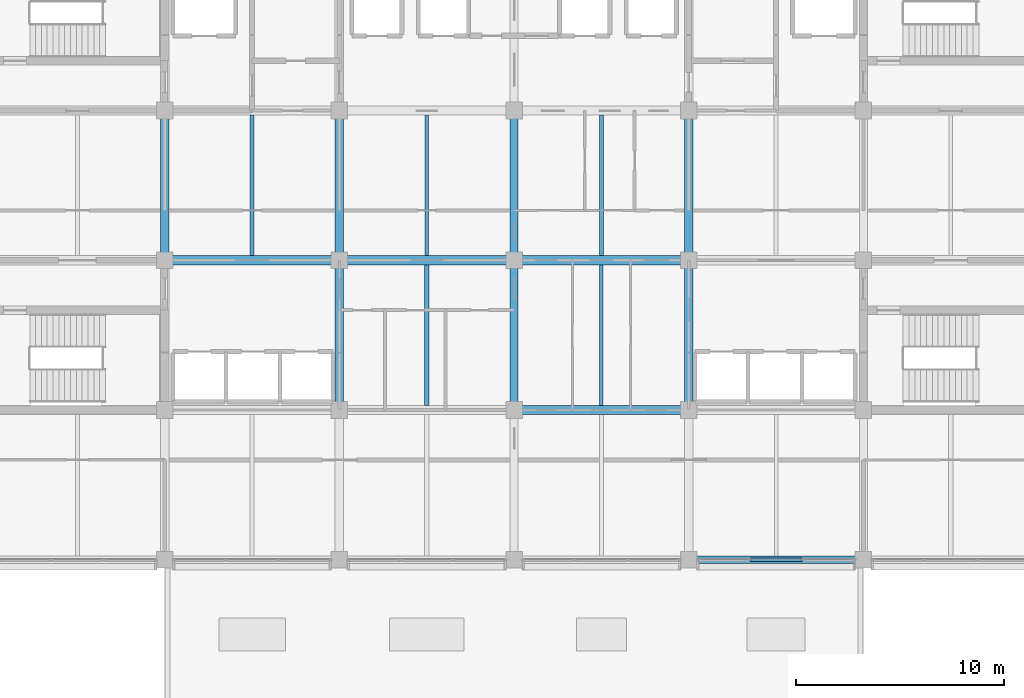
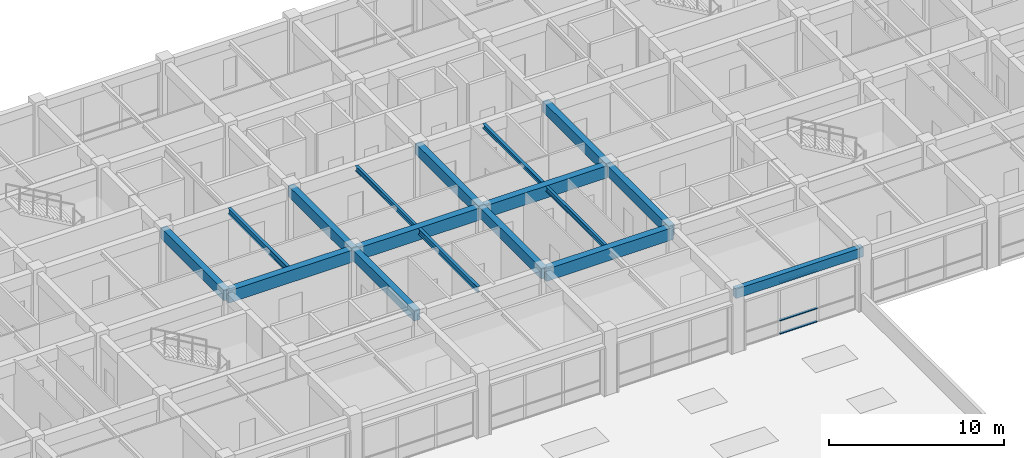
# One storey, part 6 of 40: 17 beams, 3 members, 1 element without a shape of its own.
"""IFC4 building model written with IfcOpenShell, lengths in metres."""

from ifc_helpers import new_model, si_unit, direction, frame, origin, origin_2d, place, context, subcontext, project, spatial, rectangle, i_section, extrude, material, layer, layer_set, material_profile, profile_set, type_object, element, aggregate, save


model = new_model("IFC4")

# Units and contexts
model_context = context("Model", 3, precision=1e-05, world=origin(), true_north=direction((0.0, 1.0)))
body_context = subcontext(model_context, "Body", "Model", "MODEL_VIEW")
ifc_project = project(units=[si_unit("LENGTHUNIT", "METRE"), si_unit("AREAUNIT", "SQUARE_METRE"), si_unit("VOLUMEUNIT", "CUBIC_METRE"), si_unit("PLANEANGLEUNIT", "RADIAN"), si_unit("MASSUNIT", "GRAM", prefix="KILO")], contexts=[model_context])

# Site, building, storey
site_placement = place(None, origin())
site = spatial("IfcSite", under=ifc_project, at=site_placement, CompositionType="ELEMENT")
building_placement = place(site_placement, origin())
building = spatial("IfcBuilding", under=site, at=building_placement, Name="Chengyuan Square Courthouse", CompositionType="ELEMENT")
storey_placement = place(building_placement, frame((0.0, 0.0, 21.60009765625)))
storey = spatial("IfcBuildingStorey", under=building, at=storey_placement, Name="L05", CompositionType="ELEMENT", Elevation=21.60009765625)

# Beams
ifc_material_1 = material(Name="Concrete C40", Category="concrete")
ifc_material_profile_1 = material_profile(ifc_material_1, rectangle(XDim=0.449951171875, YDim=0.85009765625, at=origin_2d()), Name="RC-BM-450x850")
ifc_profile_set_1 = profile_set([ifc_material_profile_1], Name="Concrete C40")
beam_type_1 = type_object("IfcBeamType", Name="BM-01", PredefinedType="USERDEFINED", material=ifc_profile_set_1)
beam_1_placement = place(storey_placement, frame((84.0, 86.39990234375, 3.81494140625), z_axis=(1.0, 0.0, 0.0), x_axis=(0.0, 1.0, 0.0)))
element("IfcBeam", 1, at=beam_1_placement, inside=storey, type_object=beam_type_1, Name="Girder BM-L05-3215", ObjectType="GIRDER", PredefinedType="USERDEFINED", context=body_context, shape_type="SweptSolid", body=[
    extrude(rectangle(XDim=0.449951171875, YDim=0.85009765625, at=origin_2d()), origin(), (0.0, 0.0, 1.0), 8.39990234375),
])
beam_2_placement = place(storey_placement, frame((67.199951171875, 93.60009765625, 3.81494140625), z_axis=(1.0, 0.0, 0.0), x_axis=(0.0, 1.0, 0.0)))
element("IfcBeam", 2, at=beam_2_placement, inside=storey, type_object=beam_type_1, Name="Girder BM-L05-3225", ObjectType="GIRDER", PredefinedType="USERDEFINED", context=body_context, shape_type="SweptSolid", body=[
    extrude(rectangle(XDim=0.449951171875, YDim=0.85009765625, at=origin_2d()), origin(), (0.0, 0.0, 1.0), 8.400146484375),
])
for number, where, z_axis, x_axis, name in (
    (3, (75.60009765625, 93.60009765625, 3.81494140625), (1.0, 0.0, 0.0), (0.0, 1.0, 0.0), "Girder BM-L05-3226"),
    (4, (84.0, 93.60009765625, 3.81494140625), (1.0, 0.0, 0.0), (0.0, 1.0, 0.0), "Girder BM-L05-3227"),
):
    element("IfcBeam", number, at=place(storey_placement, frame(where, z_axis=z_axis, x_axis=x_axis)), inside=storey, type_object=beam_type_1, Name=name, ObjectType="GIRDER", PredefinedType="USERDEFINED", context=body_context, shape_type="SweptSolid", body=[
        extrude(rectangle(XDim=0.449951171875, YDim=0.85009765625, at=origin_2d()), origin(), (0.0, 0.0, 1.0), 8.39990234375),
    ])
ifc_material_profile_2 = material_profile(ifc_material_1, rectangle(XDim=0.39990234375, YDim=0.75, at=origin_2d()), Name="RC-BM-400x750")
ifc_profile_set_2 = profile_set([ifc_material_profile_2], Name="Concrete C40")
beam_type_2 = type_object("IfcBeamType", Name="BM-02", PredefinedType="USERDEFINED", material=ifc_profile_set_2)
beam_3_placement = place(storey_placement, frame((67.199951171875, 93.60009765625, 3.864990234375), z_axis=(0.0, 1.0, 0.0), x_axis=(-1.0, 0.0, 0.0)))
element("IfcBeam", 5, at=beam_3_placement, inside=storey, type_object=beam_type_2, Name="Girder BM-L05-3290", ObjectType="GIRDER", PredefinedType="USERDEFINED", context=body_context, shape_type="SweptSolid", body=[
    extrude(rectangle(XDim=0.39990234375, YDim=0.75, at=origin_2d()), origin(), (0.0, 0.0, 1.0), 7.199951171875),
])
beam_4_placement = place(storey_placement, frame((75.60009765625, 86.39990234375, 3.864990234375), z_axis=(0.0, 1.0, 0.0), x_axis=(-1.0, 0.0, 0.0)))
element("IfcBeam", 6, at=beam_4_placement, inside=storey, type_object=beam_type_2, Name="Girder BM-L05-3294", ObjectType="GIRDER", PredefinedType="USERDEFINED", context=body_context, shape_type="SweptSolid", body=[
    extrude(rectangle(XDim=0.39990234375, YDim=0.75, at=origin_2d()), origin(), (0.0, 0.0, 1.0), 7.2001953125),
])
beam_5_placement = place(storey_placement, frame((75.60009765625, 93.60009765625, 3.864990234375), z_axis=(0.0, 1.0, 0.0), x_axis=(-1.0, 0.0, 0.0)))
element("IfcBeam", 7, at=beam_5_placement, inside=storey, type_object=beam_type_2, Name="Girder BM-L05-3295", ObjectType="GIRDER", PredefinedType="USERDEFINED", context=body_context, shape_type="SweptSolid", body=[
    extrude(rectangle(XDim=0.39990234375, YDim=0.75, at=origin_2d()), origin(), (0.0, 0.0, 1.0), 7.199951171875),
])
beam_6_placement = place(storey_placement, frame((84.0, 86.39990234375, 3.864990234375), z_axis=(0.0, 1.0, 0.0), x_axis=(-1.0, 0.0, 0.0)))
element("IfcBeam", 8, at=beam_6_placement, inside=storey, type_object=beam_type_2, Name="Girder BM-L05-3299", ObjectType="GIRDER", PredefinedType="USERDEFINED", context=body_context, shape_type="SweptSolid", body=[
    extrude(rectangle(XDim=0.39990234375, YDim=0.75, at=origin_2d()), origin(), (0.0, 0.0, 1.0), 7.2001953125),
])
beam_7_placement = place(storey_placement, frame((84.0, 93.60009765625, 3.864990234375), z_axis=(0.0, 1.0, 0.0), x_axis=(-1.0, 0.0, 0.0)))
element("IfcBeam", 9, at=beam_7_placement, inside=storey, type_object=beam_type_2, Name="Girder BM-L05-3300", ObjectType="GIRDER", PredefinedType="USERDEFINED", context=body_context, shape_type="SweptSolid", body=[
    extrude(rectangle(XDim=0.39990234375, YDim=0.75, at=origin_2d()), origin(), (0.0, 0.0, 1.0), 7.199951171875),
])
beam_8_placement = place(storey_placement, frame((92.39990234375, 86.39990234375, 3.864990234375), z_axis=(0.0, 1.0, 0.0), x_axis=(-1.0, 0.0, 0.0)))
element("IfcBeam", 10, at=beam_8_placement, inside=storey, type_object=beam_type_2, Name="Girder BM-L05-3304", ObjectType="GIRDER", PredefinedType="USERDEFINED", context=body_context, shape_type="SweptSolid", body=[
    extrude(rectangle(XDim=0.39990234375, YDim=0.75, at=origin_2d()), origin(), (0.0, 0.0, 1.0), 7.2001953125),
])
beam_9_placement = place(storey_placement, frame((92.39990234375, 93.60009765625, 3.864990234375), z_axis=(0.0, 1.0, 0.0), x_axis=(-1.0, 0.0, 0.0)))
element("IfcBeam", 11, at=beam_9_placement, inside=storey, type_object=beam_type_2, Name="Girder BM-L05-3305", ObjectType="GIRDER", PredefinedType="USERDEFINED", context=body_context, shape_type="SweptSolid", body=[
    extrude(rectangle(XDim=0.39990234375, YDim=0.75, at=origin_2d()), origin(), (0.0, 0.0, 1.0), 7.199951171875),
])
ifc_material_profile_3 = material_profile(ifc_material_1, rectangle(XDim=0.35009765625, YDim=0.64990234375, at=origin_2d()), Name="RC-BM-350x650")
ifc_profile_set_3 = profile_set([ifc_material_profile_3], Name="Concrete C40")
beam_type_3 = type_object("IfcBeamType", Name="BM-03", PredefinedType="SPANDREL", material=ifc_profile_set_3)
beam_10_placement = place(storey_placement, frame((92.39990234375, 79.199951171875, 3.914794921875), z_axis=(1.0, 0.0, 0.0), x_axis=(0.0, 1.0, 0.0)))
element("IfcBeam", 12, at=beam_10_placement, inside=storey, type_object=beam_type_3, Name="Girder BM-L05-3203", PredefinedType="SPANDREL", context=body_context, shape_type="SweptSolid", body=[
    extrude(rectangle(XDim=0.35009765625, YDim=0.64990234375, at=origin_2d()), origin(), (0.0, 0.0, 1.0), 8.400146484375),
])
ifc_material_2 = material(Name="Steel Q355B", Category="steel")
ifc_material_profile_4 = material_profile(ifc_material_2, i_section(OverallWidth=0.199951171875, OverallDepth=0.39990234375, WebThickness=0.008056640625, FlangeThickness=0.012939453125, at=origin_2d()), Name="HN 400x200x8x13")
ifc_profile_set_4 = profile_set([ifc_material_profile_4], Name="Steel Q355B")
beam_type_4 = type_object("IfcBeamType", Name="BM-07", PredefinedType="BEAM", material=ifc_profile_set_4)
for number, where, z_axis, x_axis, name in (
    (13, (71.39990234375, 93.824951171875, 4.039794921875), (0.0, 1.0, 0.0), (-1.0, 0.0, 0.0), "Secondary Floor Beam SBM-L05-3352"),
    (14, (79.800048828125, 86.625, 4.039794921875), (0.0, 1.0, 0.0), (-1.0, 0.0, 0.0), "Secondary Floor Beam SBM-L05-3356"),
):
    element("IfcBeam", number, at=place(storey_placement, frame(where, z_axis=z_axis, x_axis=x_axis)), inside=storey, type_object=beam_type_4, Name=name, PredefinedType="BEAM", context=body_context, shape_type="SweptSolid", body=[
        extrude(i_section(OverallWidth=0.199951171875, OverallDepth=0.39990234375, WebThickness=0.008056640625, FlangeThickness=0.012939453125, at=origin_2d()), origin(), (0.0, 0.0, 1.0), 6.75),
    ])
ifc_material_profile_5 = material_profile(ifc_material_2, i_section(OverallWidth=0.175048828125, OverallDepth=0.35009765625, WebThickness=0.007080078125, FlangeThickness=0.010986328125, at=origin_2d()), Name="HN 350x175x7x11")
ifc_profile_set_5 = profile_set([ifc_material_profile_5], Name="Steel Q355B")
beam_type_5 = type_object("IfcBeamType", Name="BM-08", PredefinedType="BEAM", material=ifc_profile_set_5)
for number, where, z_axis, x_axis, name in (
    (15, (79.800048828125, 93.824951171875, 4.06494140625), (0.0, 1.0, 0.0), (-1.0, 0.0, 0.0), "Secondary Floor Beam SBM-L05-3357"),
    (16, (88.199951171875, 86.625, 4.06494140625), (0.0, 1.0, 0.0), (-1.0, 0.0, 0.0), "Secondary Floor Beam SBM-L05-3360"),
):
    element("IfcBeam", number, at=place(storey_placement, frame(where, z_axis=z_axis, x_axis=x_axis)), inside=storey, type_object=beam_type_5, Name=name, PredefinedType="BEAM", context=body_context, shape_type="SweptSolid", body=[
        extrude(i_section(OverallWidth=0.175048828125, OverallDepth=0.35009765625, WebThickness=0.007080078125, FlangeThickness=0.010986328125, at=origin_2d()), origin(), (0.0, 0.0, 1.0), 6.75),
    ])
ifc_material_profile_6 = material_profile(ifc_material_2, i_section(OverallWidth=0.199951171875, OverallDepth=0.300048828125, WebThickness=0.008056640625, FlangeThickness=0.011962890625, at=origin_2d()), Name="HM 300x200x8x12")
ifc_profile_set_6 = profile_set([ifc_material_profile_6], Name="Steel Q355B")
beam_type_6 = type_object("IfcBeamType", Name="BM-09", PredefinedType="BEAM", material=ifc_profile_set_6)
beam_11_placement = place(storey_placement, frame((88.199951171875, 93.824951171875, 4.08984375), z_axis=(0.0, 1.0, 0.0), x_axis=(-1.0, 0.0, 0.0)))
element("IfcBeam", 17, at=beam_11_placement, inside=storey, type_object=beam_type_6, Name="Secondary Floor Beam SBM-L05-3361", PredefinedType="BEAM", context=body_context, shape_type="SweptSolid", body=[
    extrude(i_section(OverallWidth=0.199951171875, OverallDepth=0.300048828125, WebThickness=0.008056640625, FlangeThickness=0.011962890625, at=origin_2d()), origin(), (0.0, 0.0, 1.0), 6.75),
])

# Curtain wall, members
ifc_material_3 = material(Name="Unitised Aluminium and Triple Low-E Glass", Category="aluminium")
ifc_layer = layer(ifc_material_3, 0.159912109375)
ifc_layer_set = layer_set([ifc_layer], Name="Unitised Aluminium and Triple Low-E Glass")
curtain_wall_type = type_object("IfcCurtainWallType", Name="CW-13", PredefinedType="USERDEFINED", material=ifc_layer_set)
curtain_wall_placement = place(storey_placement, origin())
curtain_wall = element("IfcCurtainWall", 18, at=curtain_wall_placement, inside=storey, type_object=curtain_wall_type, Name="Unitised Curtain Wall CW-L05-176", ObjectType="UNITISED CURTAIN WALL", PredefinedType="USERDEFINED")
ifc_material_4 = material(Name="Aluminium 6063-T6 Frame", Category="aluminium")
ifc_material_profile_7 = material_profile(ifc_material_4, rectangle(XDim=0.159912109375, YDim=0.06005859375, at=origin_2d()), Name="CW-TRN-60x120")
ifc_profile_set_7 = profile_set([ifc_material_profile_7], Name="Aluminium 6063-T6 Frame")
member_type = type_object("IfcMemberType", Name="CWT-01", PredefinedType="USERDEFINED", material=ifc_profile_set_7)
member_1_placement = place(storey_placement, frame((95.36328125, 79.199951171875, 0.02978515625), z_axis=(1.0, 0.0, 0.0), x_axis=(0.0, 1.0, 0.0)))
member_1 = element("IfcMember", 19, at=member_1_placement, type_object=member_type, Name="CW-13 transom 2.1", ObjectType="TRANSOM", PredefinedType="USERDEFINED", context=body_context, shape_type="SweptSolid", body=[
    extrude(rectangle(XDim=0.159912109375, YDim=0.06005859375, at=origin_2d()), origin(), (0.0, 0.0, 1.0), 2.473388671875),
])
member_2_placement = place(storey_placement, frame((95.36328125, 79.199951171875, 0.949951171875), z_axis=(1.0, 0.0, 0.0), x_axis=(0.0, 1.0, 0.0)))
member_2 = element("IfcMember", 20, at=member_2_placement, type_object=member_type, Name="CW-13 transom 2.2", ObjectType="TRANSOM", PredefinedType="USERDEFINED", context=body_context, shape_type="SweptSolid", body=[
    extrude(rectangle(XDim=0.159912109375, YDim=0.06005859375, at=origin_2d()), origin(), (0.0, 0.0, 1.0), 2.473388671875),
])
member_3_placement = place(storey_placement, frame((95.36328125, 79.199951171875, 3.559814453125), z_axis=(1.0, 0.0, 0.0), x_axis=(0.0, 1.0, 0.0)))
member_3 = element("IfcMember", 21, at=member_3_placement, type_object=member_type, Name="CW-13 transom 2.3", ObjectType="TRANSOM", PredefinedType="USERDEFINED", context=body_context, shape_type="SweptSolid", body=[
    extrude(rectangle(XDim=0.159912109375, YDim=0.06005859375, at=origin_2d()), origin(), (0.0, 0.0, 1.0), 2.473388671875),
])
aggregate(curtain_wall, [member_1, member_2, member_3])

save(model, "model.ifc")
